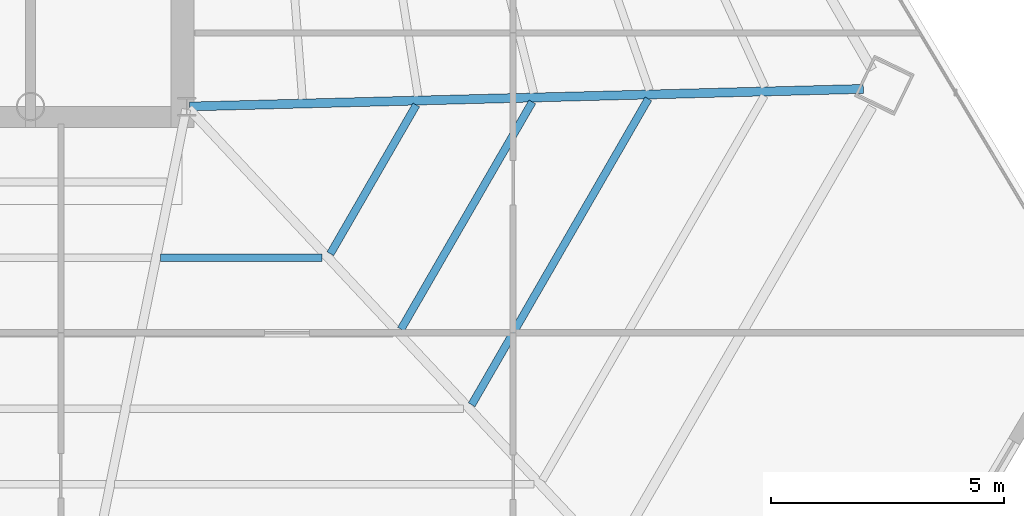
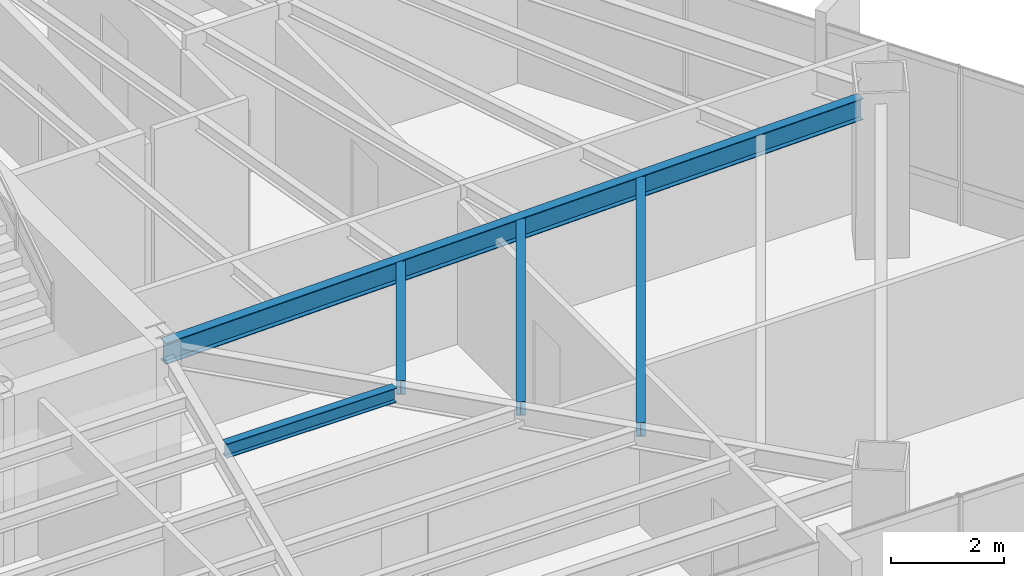
# One storey, part 20 of 41: 5 beams.
"""IFC4 building model written with IfcOpenShell, lengths in metres."""

import ifcopenshell
import ifcopenshell.guid

model = None  # the IFC model being written
_history = None  # IfcOwnerHistory: only IFC2X3 demands one
_inside = {}  # id of a spatial element -> (the spatial element, [elements in it])
_under = {}  # id of a project, library or spatial element -> (it, [spatial elements below it])
_declared = {}  # id of a project -> (the project, [libraries it declares])
_typed = {}  # id of a type object -> (the type object, [elements of that type])
_made_of = {}  # id of a material, layer set ... -> (it, [elements and type objects made of it])


def new_model(schema):
    """Start an empty IFC model of exactly this schema.

    Asked for "IFC4X3", IfcOpenShell would pick the latest addendum, in which some entities
    have other attributes; the version numbers below select the first issue.
    IFC2X3 requires an IfcOwnerHistory on every rooted entity: one is made here for all.
    """
    global model, _history
    if schema == "IFC4X3":
        model = ifcopenshell.file(schema_version=(4, 3, 0, 0))
    else:
        model = ifcopenshell.file(schema=schema)
    _inside.clear()
    _under.clear()
    _declared.clear()
    _typed.clear()
    _made_of.clear()
    _history = None
    if model.schema == "IFC2X3":
        org = make("IfcOrganization", Name="unknown")
        user = make(
            "IfcPersonAndOrganization",
            ThePerson=make("IfcPerson", FamilyName="unknown"),
            TheOrganization=org,
        )
        app = make(
            "IfcApplication",
            ApplicationDeveloper=org,
            Version="unknown",
            ApplicationFullName="unknown",
            ApplicationIdentifier="unknown",
        )
        _history = make(
            "IfcOwnerHistory",
            OwningUser=user,
            OwningApplication=app,
            ChangeAction="ADDED",
            CreationDate=0,
        )
    return model


def make(cls, **values):
    """One entity of the class cls with the attributes given. An attribute that is None is left unset."""
    return model.create_entity(
        cls, **{name: value for name, value in values.items() if value is not None}
    )


def rooted(cls, **values):
    """An entity with a GlobalId (a new one), such as an element, a storey or a relation."""
    return make(cls, GlobalId=ifcopenshell.guid.new(), OwnerHistory=_history, **values)


def si_unit(unit_type, name, prefix=None):
    """IfcSIUnit, for example si_unit("LENGTHUNIT", "METRE", prefix="MILLI")."""
    return make("IfcSIUnit", UnitType=unit_type, Prefix=prefix, Name=name)


def assignment(units):
    """IfcUnitAssignment: the units of a project."""
    return None if units is None else make("IfcUnitAssignment", Units=units)


def point(xyz):
    """IfcCartesianPoint."""
    return None if xyz is None else make("IfcCartesianPoint", Coordinates=xyz)


def direction(xyz):
    """IfcDirection."""
    return None if xyz is None else make("IfcDirection", DirectionRatios=xyz)


def frame(location, z_axis=None, x_axis=None):
    """IfcAxis2Placement3D, a coordinate frame: its origin and axes. An axis left out is left unset."""
    return make(
        "IfcAxis2Placement3D",
        Location=point(location),
        Axis=direction(z_axis),
        RefDirection=direction(x_axis),
    )


def frame_2d(location, x_axis=None):
    """IfcAxis2Placement2D, a coordinate frame in the plane: its origin and x axis."""
    return make(
        "IfcAxis2Placement2D", Location=point(location), RefDirection=direction(x_axis)
    )


def origin():
    """The frame at (0, 0, 0) with its axes left unset."""
    return frame((0.0, 0.0, 0.0))


def origin_2d():
    """The frame at (0, 0) in the plane with its x axis left unset."""
    return frame_2d((0.0, 0.0))


def place(relative_to, where):
    """IfcLocalPlacement: puts the frame where relative to a parent placement (None: the world)."""
    return make(
        "IfcLocalPlacement", PlacementRelTo=relative_to, RelativePlacement=where
    )


def context(
    kind, dimensions, precision=None, world=None, true_north=None, identifier=None
):
    """IfcGeometricRepresentationContext, for example the 3D "Model" context."""
    return make(
        "IfcGeometricRepresentationContext",
        ContextIdentifier=identifier,
        ContextType=kind,
        CoordinateSpaceDimension=dimensions,
        Precision=precision,
        WorldCoordinateSystem=world,
        TrueNorth=true_north,
    )


def subcontext(parent, identifier, kind, view, scale=None):
    """IfcGeometricRepresentationSubContext, for example "Body" below "Model"."""
    return make(
        "IfcGeometricRepresentationSubContext",
        ContextIdentifier=identifier,
        ContextType=kind,
        ParentContext=parent,
        TargetScale=scale,
        TargetView=view,
    )


def project(units=None, contexts=None):
    """IfcProject with its units and contexts."""
    return rooted(
        "IfcProject",
        Name="project",
        RepresentationContexts=contexts,
        UnitsInContext=assignment(units),
    )


def spatial(cls, under=None, at=None, **own):
    """A site, building, storey or space (cls), placed at a placement, below another one or the project."""
    s = rooted(cls, ObjectPlacement=at, **own)
    if under is not None:
        _under.setdefault(under.id(), (under, []))[1].append(s)
    return s


def profile(cls, at=None, kind="AREA", **sizes):
    """A parametric profile (cls). Its sizes go by their IFC names, for example OverallWidth=200.0."""
    return make(cls, ProfileType=kind, Position=at, **sizes)


def i_section(**sizes):
    """IfcIShapeProfileDef."""
    return profile("IfcIShapeProfileDef", **sizes)


def extrude(swept, where, along, depth):
    """IfcExtrudedAreaSolid: the profile swept, set in the frame where, extruded along a direction by depth."""
    return make(
        "IfcExtrudedAreaSolid",
        SweptArea=swept,
        Position=where,
        ExtrudedDirection=direction(along),
        Depth=depth,
    )


def shape(context_of_items, identifier, shape_type, items):
    """IfcShapeRepresentation: the items that make up one representation, for example the "Body"."""
    return make(
        "IfcShapeRepresentation",
        ContextOfItems=context_of_items,
        RepresentationIdentifier=identifier,
        RepresentationType=shape_type,
        Items=items,
    )


def source(mapping_origin, context_of_items, identifier, shape_type, items):
    """IfcRepresentationMap: a shape defined once, which mapped items show again and again."""
    return make(
        "IfcRepresentationMap",
        MappingOrigin=mapping_origin,
        MappedRepresentation=shape(context_of_items, identifier, shape_type, items),
    )


def transform(
    local_origin,
    x_axis=None,
    y_axis=None,
    z_axis=None,
    scale=None,
    scale2=None,
    scale3=None,
    uniform=True,
):
    """IfcCartesianTransformationOperator3D, or its non-uniform kind. x_axis, y_axis, z_axis: its Axis1, 2, 3."""
    if uniform:
        return make(
            "IfcCartesianTransformationOperator3D",
            Axis1=direction(x_axis),
            Axis2=direction(y_axis),
            LocalOrigin=point(local_origin),
            Scale=scale,
            Axis3=direction(z_axis),
        )
    return make(
        "IfcCartesianTransformationOperator3DnonUniform",
        Axis1=direction(x_axis),
        Axis2=direction(y_axis),
        LocalOrigin=point(local_origin),
        Scale=scale,
        Axis3=direction(z_axis),
        Scale2=scale2,
        Scale3=scale3,
    )


def mapped(mapping_source, mapping_target):
    """IfcMappedItem: shows the shape of a source again, moved by a transform."""
    return make(
        "IfcMappedItem", MappingSource=mapping_source, MappingTarget=mapping_target
    )


def material(Name=None, Category=None):
    """IfcMaterial."""
    return make("IfcMaterial", Name=Name, Category=Category)


def material_profile(
    of_material, cross_section, Name=None, Category=None, Priority=None
):
    """IfcMaterialProfile: a cross section and its material."""
    return make(
        "IfcMaterialProfile",
        Name=Name,
        Material=of_material,
        Profile=cross_section,
        Priority=Priority,
        Category=Category,
    )


def profile_set(profiles, Name=None, composite=None):
    """IfcMaterialProfileSet."""
    return make(
        "IfcMaterialProfileSet",
        Name=Name,
        MaterialProfiles=profiles,
        CompositeProfile=composite,
    )


def made_of(thing, what):
    """Note that an element or type object is made of a material, layer set ...; save() writes the relation."""
    if what is not None:
        _made_of.setdefault(what.id(), (what, []))[1].append(thing)
    return thing


def type_object(cls, material=None, **own):
    """A type object (cls), such as IfcWallType, which elements share."""
    return made_of(rooted(cls, **own), material)


def type_shapes(of_type, sources):
    """Give a type object the sources (RepresentationMaps) that its elements show as mapped items."""
    of_type.RepresentationMaps = sources


def element(
    cls,
    number,
    at=None,
    inside=None,
    cuts=None,
    type_object=None,
    material=None,
    context=None,
    identifier="Body",
    shape_type=None,
    held_by="IfcProductDefinitionShape",
    body=None,
    shapes=None,
    **own,
):
    """One element of the class cls, such as IfcWall. Its Tag is "e" and its number.

    at: its placement. inside: the storey or other place that contains it. cuts: it is an
    opening in that element (IfcRelVoidsElement). A single representation is given by context,
    identifier, shape_type and body (its items); several are given by shapes. held_by: the class
    of the entity that holds the representations. save() writes the other relations.
    """
    e = rooted(cls, Tag="e%d" % number, ObjectPlacement=at, **own)
    if body is not None:
        shapes = [shape(context, identifier, shape_type, body)]
    if shapes is not None:
        e.Representation = make(held_by, Representations=shapes)
    if inside is not None:
        _inside.setdefault(inside.id(), (inside, []))[1].append(e)
    if cuts is not None:
        rooted(
            "IfcRelVoidsElement", RelatingBuildingElement=cuts, RelatedOpeningElement=e
        )
    if type_object is not None:
        _typed.setdefault(type_object.id(), (type_object, []))[1].append(e)
    return made_of(e, material)


def aggregate(whole, parts):
    """IfcRelAggregates: a whole, such as a stair, and the parts it consists of."""
    return rooted("IfcRelAggregates", RelatingObject=whole, RelatedObjects=parts)


def save(model, path):
    """Write the relations noted so far, then the file.

    IfcRelAggregates (storeys below a building ...), IfcRelContainedInSpatialStructure (elements
    in a storey), IfcRelDefinesByType, IfcRelAssociatesMaterial and IfcRelDeclares: one each for
    every whole, place, type object, material and project.
    """
    for whole, parts in _under.values():
        aggregate(whole, parts)
    for where, things in _inside.values():
        rooted(
            "IfcRelContainedInSpatialStructure",
            RelatedElements=things,
            RelatingStructure=where,
        )
    for kind, things in _typed.values():
        rooted("IfcRelDefinesByType", RelatedObjects=things, RelatingType=kind)
    for what, things in _made_of.values():
        rooted("IfcRelAssociatesMaterial", RelatedObjects=things, RelatingMaterial=what)
    for by, libraries in _declared.values():
        rooted("IfcRelDeclares", RelatingContext=by, RelatedDefinitions=libraries)
    model.write(path)


model = new_model("IFC4")

# Units and contexts
model_context = context("Model", 3, precision=1e-05, world=origin(), true_north=direction((0.0, 1.0)))
body_context = subcontext(model_context, "Body", "Model", "MODEL_VIEW")
ifc_project = project(units=[si_unit("LENGTHUNIT", "METRE"), si_unit("AREAUNIT", "SQUARE_METRE"), si_unit("VOLUMEUNIT", "CUBIC_METRE"), si_unit("PLANEANGLEUNIT", "RADIAN"), si_unit("MASSUNIT", "GRAM", prefix="KILO")], contexts=[model_context])

# Site, building, storey
site_placement = place(None, origin())
site = spatial("IfcSite", under=ifc_project, at=site_placement, CompositionType="ELEMENT")
building_placement = place(site_placement, origin())
building = spatial("IfcBuilding", under=site, at=building_placement, Name="Caelisora Broadcast Tower", CompositionType="ELEMENT")
storey_placement = place(building_placement, frame((0.0, 0.0, 169.449951171875)))
storey = spatial("IfcBuildingStorey", under=building, at=storey_placement, Name="L44", CompositionType="ELEMENT", Elevation=169.449951171875)

# Beams
ifc_material = material(Name="Steel Grade 350 (AS/NZS 3679.1)", Category="steel")
ifc_material_profile_1 = material_profile(ifc_material, i_section(OverallWidth=0.19091796875, OverallDepth=0.46044921875, WebThickness=0.010009765625, FlangeThickness=0.01611328125, at=origin_2d()), Name="Steel Grade 350 (AS/NZS 3679.1)")
ifc_profile_set_1 = profile_set([ifc_material_profile_1], Name="Steel Grade 350 (AS/NZS 3679.1)")
beam_type_1 = type_object("IfcBeamType", Name="PG06", PredefinedType="BEAM", material=ifc_profile_set_1)
shared_shape_1 = source(origin(), body_context, "Body", "SweptSolid", [
    extrude(i_section(OverallWidth=0.19091796875, OverallDepth=0.46044921875, WebThickness=0.010009765625, FlangeThickness=0.01611328125, at=origin_2d()), origin(), (0.0, 0.0, 1.0), 14.45263671875),
])
type_shapes(beam_type_1, [shared_shape_1])
beam_1_placement = place(storey_placement, frame((45.56005859375, 17.401611328125, 3.169921875), z_axis=(0.999658927909, 0.026115662958, 0.0), x_axis=(-0.026115662958, 0.999658927909, 0.0)))
element("IfcBeam", 1, at=beam_1_placement, inside=storey, type_object=beam_type_1, Name="L44 beam PG06", PredefinedType="BEAM", context=body_context, shape_type="MappedRepresentation", body=[
    mapped(shared_shape_1, transform((0.0, 0.0, 0.0), scale=1.0)),
])
ifc_material_profile_2 = material_profile(ifc_material, i_section(OverallWidth=0.166015625, OverallDepth=0.30712890625, WebThickness=0.006591796875, FlangeThickness=0.01171875, at=origin_2d()), Name="Steel Grade 350 (AS/NZS 3679.1)")
ifc_profile_set_2 = profile_set([ifc_material_profile_2], Name="Steel Grade 350 (AS/NZS 3679.1)")
beam_type_2 = type_object("IfcBeamType", Name="SB03", PredefinedType="JOIST", material=ifc_profile_set_2)
shared_shape_2 = source(origin(), body_context, "Body", "SweptSolid", [
    extrude(i_section(OverallWidth=0.166015625, OverallDepth=0.30712890625, WebThickness=0.006591796875, FlangeThickness=0.01171875, at=origin_2d()), origin(), (0.0, 0.0, 1.0), 3.684814453125),
])
beam_2_placement = place(storey_placement, frame((48.5791015625, 14.244384765625, 3.246337890625), z_axis=(0.499972899022, 0.866041049976, 0.0), x_axis=(-0.866041049976, 0.499972899022, 0.0)))
element("IfcBeam", 2, at=beam_2_placement, inside=storey, type_object=beam_type_2, Name="L44 beam SB03", PredefinedType="JOIST", context=body_context, shape_type="MappedRepresentation", body=[
    mapped(shared_shape_2, transform((0.0, 0.0, 0.0), scale=1.0)),
])
shared_shape_3 = source(origin(), body_context, "Body", "SweptSolid", [
    extrude(i_section(OverallWidth=0.166015625, OverallDepth=0.30712890625, WebThickness=0.006591796875, FlangeThickness=0.01171875, at=origin_2d()), origin(), (0.0, 0.0, 1.0), 5.6298828125),
])
beam_3_placement = place(storey_placement, frame((50.094482421875, 12.624755859375, 3.246337890625), z_axis=(0.499991471522, 0.866030327647, 0.0), x_axis=(-0.866030327647, 0.499991471522, 0.0)))
element("IfcBeam", 3, at=beam_3_placement, inside=storey, type_object=beam_type_2, Name="L44 beam SB03", PredefinedType="JOIST", context=body_context, shape_type="MappedRepresentation", body=[
    mapped(shared_shape_3, transform((0.0, 0.0, 0.0), scale=1.0)),
])
shared_shape_4 = source(origin(), body_context, "Body", "SweptSolid", [
    extrude(i_section(OverallWidth=0.166015625, OverallDepth=0.30712890625, WebThickness=0.006591796875, FlangeThickness=0.01171875, at=origin_2d()), origin(), (0.0, 0.0, 1.0), 7.575439453125),
])
beam_4_placement = place(storey_placement, frame((51.609619140625, 11.005126953125, 3.246337890625), z_axis=(0.50001072126, 0.866019213774, 0.0), x_axis=(-0.866019213774, 0.50001072126, 0.0)))
element("IfcBeam", 4, at=beam_4_placement, inside=storey, type_object=beam_type_2, Name="L44 beam SB03", PredefinedType="JOIST", context=body_context, shape_type="MappedRepresentation", body=[
    mapped(shared_shape_4, transform((0.0, 0.0, 0.0), scale=1.0)),
])
shared_shape_5 = source(origin(), body_context, "Body", "SweptSolid", [
    extrude(i_section(OverallWidth=0.166015625, OverallDepth=0.30712890625, WebThickness=0.006591796875, FlangeThickness=0.01171875, at=origin_2d()), origin(), (0.0, 0.0, 1.0), 3.46484375),
])
type_shapes(beam_type_2, [shared_shape_2, shared_shape_3, shared_shape_4, shared_shape_5])
beam_5_placement = place(storey_placement, frame((44.93798828125, 14.16064453125, 3.246337890625), z_axis=(1.0, 0.0, 0.0), x_axis=(0.0, 1.0, 0.0)))
element("IfcBeam", 5, at=beam_5_placement, inside=storey, type_object=beam_type_2, Name="L44 beam SB03", PredefinedType="JOIST", context=body_context, shape_type="MappedRepresentation", body=[
    mapped(shared_shape_5, transform((0.0, 0.0, 0.0), scale=1.0)),
])

save(model, "model.ifc")
